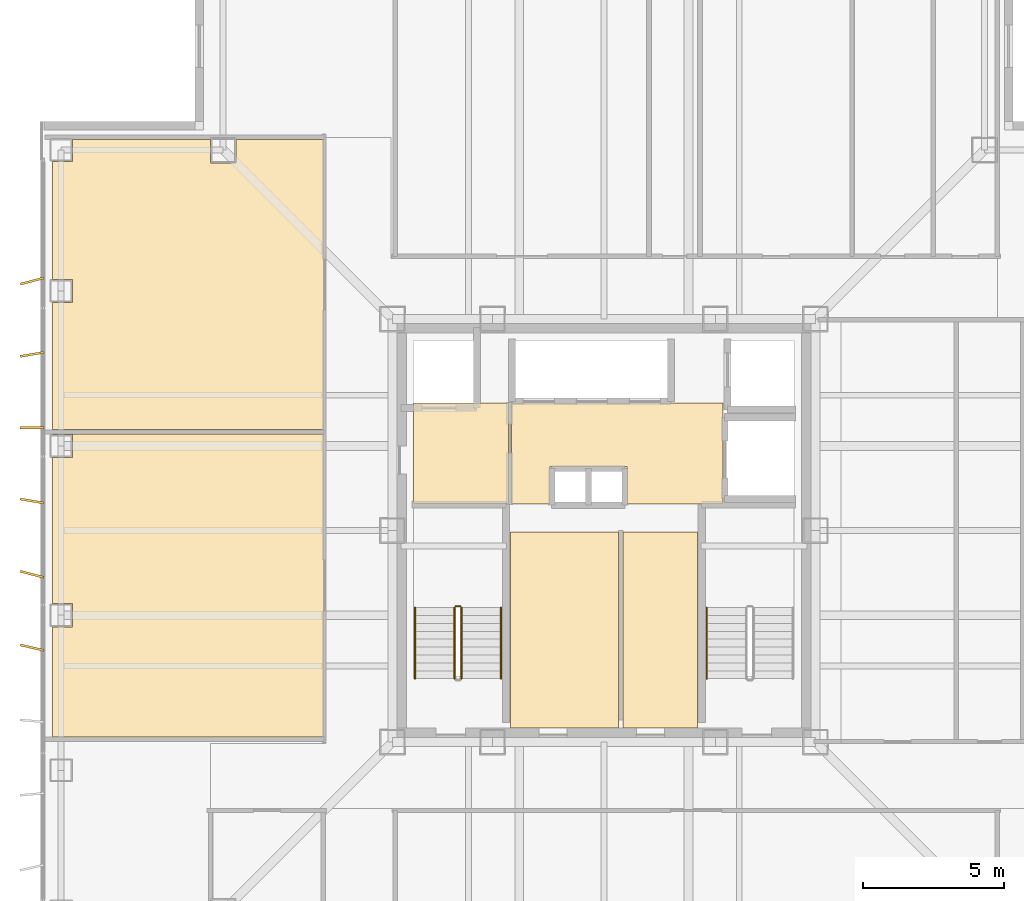
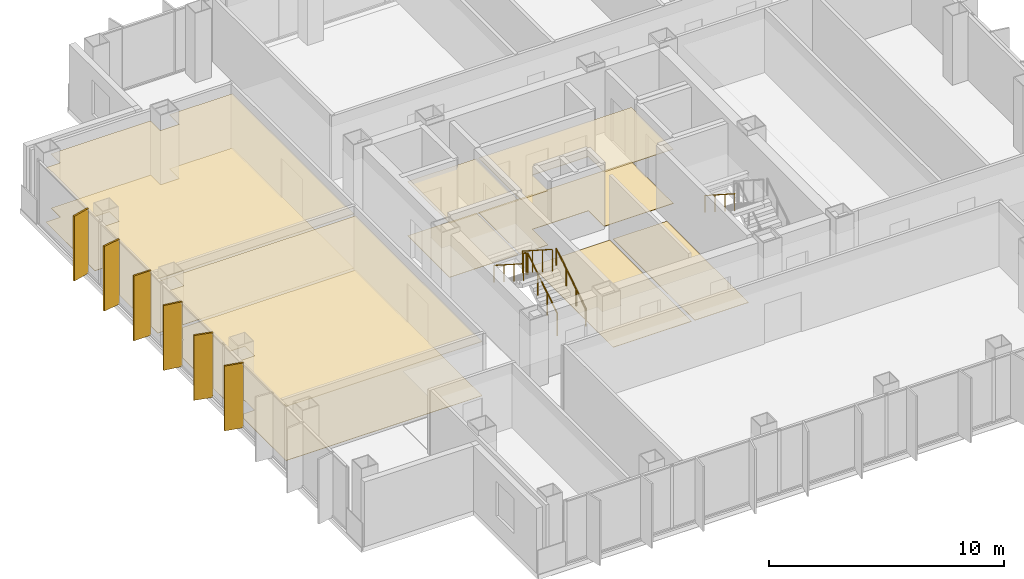
# One storey, part 14 of 17: 10 coverings, 6 railings, 6 shading devices.
"""IFC4 building model written with IfcOpenShell, lengths in metres."""

from ifc_helpers import new_model, si_unit, direction, frame, origin, origin_2d, place, context, subcontext, project, spatial, polyline, rectangle, circle, outline, extrude, material, layer, layer_set, type_object, element, save


model = new_model("IFC4")

# Units and contexts
model_context = context("Model", 3, precision=1e-05, world=origin(), true_north=direction((0.0, 1.0)))
body_context = subcontext(model_context, "Body", "Model", "MODEL_VIEW")
ifc_project = project(units=[si_unit("LENGTHUNIT", "METRE"), si_unit("AREAUNIT", "SQUARE_METRE"), si_unit("VOLUMEUNIT", "CUBIC_METRE"), si_unit("PLANEANGLEUNIT", "RADIAN"), si_unit("MASSUNIT", "GRAM", prefix="KILO")], contexts=[model_context])

# Site, building, storey
site_placement = place(None, origin())
site = spatial("IfcSite", under=ifc_project, at=site_placement, CompositionType="ELEMENT")
building_placement = place(site_placement, origin())
building = spatial("IfcBuilding", under=site, at=building_placement, Name="Trevonay Congress Spire", CompositionType="ELEMENT")
storey_placement = place(building_placement, frame((0.0, 0.0, 184.199951171875)))
storey = spatial("IfcBuildingStorey", under=building, at=storey_placement, Name="L47", CompositionType="ELEMENT", Elevation=184.199951171875)

# Coverings
ifc_material_1 = material(Name="Acoustic Mineral Fibre Board", Category="gypsum")
ifc_layer_1 = layer(ifc_material_1, 0.02490234375, Name="Acoustic Mineral Fibre Board")
ifc_layer_set_1 = layer_set([ifc_layer_1], Name="Acoustic Mineral Fibre Board")
covering_type_1 = type_object("IfcCoveringType", Name="COV-CEIL-ACOUSTIC", PredefinedType="CEILING", material=ifc_layer_set_1)
covering_1_placement = place(storey_placement, frame((0.0, 0.0, 2.81005859375)))
element("IfcCovering", 1, at=covering_1_placement, inside=storey, type_object=covering_type_1, Name="L47 Firefighting Lift Lobby West acoustic suspended ceiling", PredefinedType="CEILING", context=body_context, shape_type="SweptSolid", body=[
    extrude(outline(polyline([(-6.75, 0.9599609375), (-3.3798828125, 0.9599609375), (-3.3798828125, 4.52001953125), (-6.75, 4.52001953125), (-6.75, 0.9599609375)])), origin(), (0.0, 0.0, 1.0), 0.02490234375),
])
covering_2_placement = place(storey_placement, frame((0.0, 0.0, 2.81005859375)))
element("IfcCovering", 2, at=covering_2_placement, inside=storey, type_object=covering_type_1, Name="L47 Central and High-Rise Passenger Lift Lobby acoustic suspended ceiling", PredefinedType="CEILING", context=body_context, shape_type="SweptSolid", body=[
    extrude(outline(polyline([(-3.280029296875, 0.949951171875), (-1.919921875, 0.949951171875), (-1.919921875, 2.280029296875), (0.820068359375, 2.280029296875), (0.820068359375, 0.949951171875), (4.219970703125, 0.949951171875), (4.219970703125, 4.52001953125), (-3.280029296875, 4.52001953125), (-3.280029296875, 0.949951171875)])), origin(), (0.0, 0.0, 1.0), 0.02490234375),
])
covering_3_placement = place(storey_placement, frame((0.0, 0.0, 2.81005859375)))
element("IfcCovering", 3, at=covering_3_placement, inside=storey, type_object=covering_type_1, Name="L47 Claimant Caucus Boardroom acoustic suspended ceiling", PredefinedType="CEILING", context=body_context, shape_type="SweptSolid", body=[
    extrude(outline(polyline([(-19.550048828125, 3.419921875), (-9.929931640625, 3.419921875), (-9.929931640625, -7.320068359375), (-19.550048828125, -7.320068359375), (-19.550048828125, -3.409912109375), (-18.840087890625, -3.409912109375), (-18.840087890625, -2.590087890625), (-19.550048828125, -2.590087890625), (-19.550048828125, 2.590087890625), (-18.840087890625, 2.590087890625), (-18.840087890625, 3.409912109375), (-19.550048828125, 3.409912109375), (-19.550048828125, 3.419921875)])), origin(), (0.0, 0.0, 1.0), 0.02490234375),
])
covering_4_placement = place(storey_placement, frame((0.0, 0.0, 2.81005859375)))
element("IfcCovering", 4, at=covering_4_placement, inside=storey, type_object=covering_type_1, Name="L47 Respondent Caucus Boardroom acoustic suspended ceiling", PredefinedType="CEILING", context=body_context, shape_type="SweptSolid", body=[
    extrude(outline(polyline([(-9.929931640625, 13.8701171875), (-9.929931640625, 3.580078125), (-19.550048828125, 3.580078125), (-19.550048828125, 8.090087890625), (-18.840087890625, 8.090087890625), (-18.840087890625, 8.909912109375), (-19.550048828125, 8.909912109375), (-19.550048828125, 13.090087890625), (-18.840087890625, 13.090087890625), (-18.840087890625, 13.8701171875), (-13.9599609375, 13.8701171875), (-13.9599609375, 13.0400390625), (-13.0400390625, 13.0400390625), (-13.0400390625, 13.8701171875), (-9.929931640625, 13.8701171875)])), origin(), (0.0, 0.0, 1.0), 0.02490234375),
])
ifc_material_2 = material(Name="Polished Granite Floor Tile", Category="masonry")
ifc_layer_2 = layer(ifc_material_2, 0.02001953125, Name="Polished Granite Floor Tile")
ifc_layer_set_2 = layer_set([ifc_layer_2], Name="Polished Granite Floor Tile")
covering_type_2 = type_object("IfcCoveringType", Name="COV-FLOOR-STONE", PredefinedType="FLOORING", material=ifc_layer_set_2)
covering_5_placement = place(storey_placement, origin())
element("IfcCovering", 5, at=covering_5_placement, inside=storey, type_object=covering_type_2, Name="L47 Firefighting Lift Lobby West floor finish", PredefinedType="FLOORING", context=body_context, shape_type="SweptSolid", body=[
    extrude(outline(polyline([(-6.75, 0.9599609375), (-3.3798828125, 0.9599609375), (-3.3798828125, 4.52001953125), (-6.75, 4.52001953125), (-6.75, 0.9599609375)])), origin(), (0.0, 0.0, 1.0), 0.02001953125),
])
covering_6_placement = place(storey_placement, origin())
element("IfcCovering", 6, at=covering_6_placement, inside=storey, type_object=covering_type_2, Name="L47 Central and High-Rise Passenger Lift Lobby floor finish", PredefinedType="FLOORING", context=body_context, shape_type="SweptSolid", body=[
    extrude(outline(polyline([(-3.280029296875, 0.949951171875), (-1.919921875, 0.949951171875), (-1.919921875, 2.280029296875), (0.820068359375, 2.280029296875), (0.820068359375, 0.949951171875), (4.219970703125, 0.949951171875), (4.219970703125, 4.52001953125), (-3.280029296875, 4.52001953125), (-3.280029296875, 0.949951171875)])), origin(), (0.0, 0.0, 1.0), 0.02001953125),
])
covering_7_placement = place(storey_placement, origin())
element("IfcCovering", 7, at=covering_7_placement, inside=storey, type_object=covering_type_2, Name="L47 Core Electrical Sub-Board Room floor finish", PredefinedType="FLOORING", context=body_context, shape_type="SweptSolid", body=[
    extrude(outline(polyline([(-3.320068359375, -7.0), (0.52001953125, -7.0), (0.52001953125, -0.050048828125), (-3.320068359375, -0.050048828125), (-3.320068359375, -7.0)])), origin(), (0.0, 0.0, 1.0), 0.02001953125),
])
covering_8_placement = place(storey_placement, origin())
element("IfcCovering", 8, at=covering_8_placement, inside=storey, type_object=covering_type_2, Name="L47 Cleaner and Housekeeping Store floor finish", PredefinedType="FLOORING", context=body_context, shape_type="SweptSolid", body=[
    extrude(outline(polyline([(0.679931640625, -7.0), (3.320068359375, -7.0), (3.320068359375, -0.050048828125), (0.679931640625, -0.050048828125), (0.679931640625, -7.0)])), origin(), (0.0, 0.0, 1.0), 0.02001953125),
])
ifc_material_3 = material(Name="Engineered Oak Flooring", Category="wood")
ifc_layer_3 = layer(ifc_material_3, 0.01806640625, Name="Engineered Oak Flooring")
ifc_layer_set_3 = layer_set([ifc_layer_3], Name="Engineered Oak Flooring")
covering_type_3 = type_object("IfcCoveringType", Name="COV-FLOOR-TIMBER", PredefinedType="FLOORING", material=ifc_layer_set_3)
covering_9_placement = place(storey_placement, origin())
element("IfcCovering", 9, at=covering_9_placement, inside=storey, type_object=covering_type_3, Name="L47 Claimant Caucus Boardroom floor finish", PredefinedType="FLOORING", context=body_context, shape_type="SweptSolid", body=[
    extrude(outline(polyline([(-19.550048828125, 3.419921875), (-9.929931640625, 3.419921875), (-9.929931640625, -7.320068359375), (-19.550048828125, -7.320068359375), (-19.550048828125, -3.409912109375), (-18.840087890625, -3.409912109375), (-18.840087890625, -2.590087890625), (-19.550048828125, -2.590087890625), (-19.550048828125, 2.590087890625), (-18.840087890625, 2.590087890625), (-18.840087890625, 3.409912109375), (-19.550048828125, 3.409912109375), (-19.550048828125, 3.419921875)])), origin(), (0.0, 0.0, 1.0), 0.01806640625),
])
covering_10_placement = place(storey_placement, origin())
element("IfcCovering", 10, at=covering_10_placement, inside=storey, type_object=covering_type_3, Name="L47 Respondent Caucus Boardroom floor finish", PredefinedType="FLOORING", context=body_context, shape_type="SweptSolid", body=[
    extrude(outline(polyline([(-9.929931640625, 13.8701171875), (-9.929931640625, 3.580078125), (-19.550048828125, 3.580078125), (-19.550048828125, 8.090087890625), (-18.840087890625, 8.090087890625), (-18.840087890625, 8.909912109375), (-19.550048828125, 8.909912109375), (-19.550048828125, 13.090087890625), (-18.840087890625, 13.090087890625), (-18.840087890625, 13.8701171875), (-13.9599609375, 13.8701171875), (-13.9599609375, 13.0400390625), (-13.0400390625, 13.0400390625), (-13.0400390625, 13.8701171875), (-9.929931640625, 13.8701171875)])), origin(), (0.0, 0.0, 1.0), 0.01806640625),
])

# Railings
ifc_material_4 = material(Name="Pale Anodised Aluminium EN AW-6063-T6", Category="aluminium")
railing_type_1 = type_object("IfcRailingType", Name="RAL-STAIR-GUARD-110", PredefinedType="GUARDRAIL", material=ifc_material_4)
railing_1_placement = place(storey_placement, frame((-5.050048828125, -5.25, 0.179931640625)))
element("IfcRailing", 11, at=railing_1_placement, inside=storey, type_object=railing_type_1, Name="L47 ST-1 stair guard 1", PredefinedType="GUARDRAIL", context=body_context, shape_type="SweptSolid", body=[
    extrude(circle(Radius=0.02392578125, at=origin_2d()), frame((0.0, 0.0, 1.1259765625), z_axis=(0.0, 0.841162588446, 0.540782303519), x_axis=(-1.0, 0.0, 0.0)), (0.0, 0.0, 1.0), 2.995849609375),
    extrude(circle(Radius=0.02099609375, at=origin_2d()), origin(), (0.0, 0.0, 1.0), 1.101806640625),
    extrude(circle(Radius=0.02099609375, at=origin_2d()), frame((0.0, 0.840087890625, 0.5400390625)), (0.0, 0.0, 1.0), 1.101806640625),
    extrude(circle(Radius=0.02099609375, at=origin_2d()), frame((0.0, 1.679931640625, 1.080078125)), (0.0, 0.0, 1.0), 1.101806640625),
    extrude(circle(Radius=0.02099609375, at=origin_2d()), frame((0.0, 2.52001953125, 1.6201171875)), (0.0, 0.0, 1.0), 1.101806640625),
])
railing_2_placement = place(storey_placement, frame((-5.10009765625, -2.679931640625, 1.800048828125)))
element("IfcRailing", 12, at=railing_2_placement, inside=storey, type_object=railing_type_1, Name="L47 ST-1 stair guard 2", PredefinedType="GUARDRAIL", context=body_context, shape_type="SweptSolid", body=[
    extrude(circle(Radius=0.02392578125, at=origin_2d()), frame((0.0, 0.0, 1.1259765625), z_axis=(-1.0, 0.0, 0.0), x_axis=(0.0, -1.0, 0.0)), (0.0, 0.0, 1.0), 0.14990234375),
    extrude(circle(Radius=0.02099609375, at=origin_2d()), origin(), (0.0, 0.0, 1.0), 1.101806640625),
    extrude(circle(Radius=0.02099609375, at=origin_2d()), frame((-0.14990234375, 0.0, 0.0)), (0.0, 0.0, 1.0), 1.101806640625),
])
railing_3_placement = place(storey_placement, frame((-5.300048828125, -2.72998046875, 1.97998046875)))
element("IfcRailing", 13, at=railing_3_placement, inside=storey, type_object=railing_type_1, Name="L47 ST-1 stair guard 3", PredefinedType="GUARDRAIL", context=body_context, shape_type="SweptSolid", body=[
    extrude(circle(Radius=0.02392578125, at=origin_2d()), frame((0.0, 0.0, 1.1259765625), z_axis=(0.0, -0.841162588446, 0.540782303519), x_axis=(1.0, 0.0, 0.0)), (0.0, 0.0, 1.0), 2.995849609375),
    extrude(circle(Radius=0.02099609375, at=origin_2d()), origin(), (0.0, 0.0, 1.0), 1.101806640625),
    extrude(circle(Radius=0.02099609375, at=origin_2d()), frame((0.0, -0.840087890625, 0.5400390625)), (0.0, 0.0, 1.0), 1.101806640625),
    extrude(circle(Radius=0.02099609375, at=origin_2d()), frame((0.0, -1.679931640625, 1.080078125)), (0.0, 0.0, 1.0), 1.101806640625),
    extrude(circle(Radius=0.02099609375, at=origin_2d()), frame((0.0, -2.52001953125, 1.6201171875)), (0.0, 0.0, 1.0), 1.101806640625),
])
railing_type_2 = type_object("IfcRailingType", Name="RAL-STAIR-HANDRAIL", PredefinedType="HANDRAIL", material=ifc_material_4)
railing_4_placement = place(storey_placement, frame((-3.64990234375, -5.25, 0.179931640625)))
element("IfcRailing", 14, at=railing_4_placement, inside=storey, type_object=railing_type_2, Name="L47 ST-1 stair handrail 1", PredefinedType="HANDRAIL", context=body_context, shape_type="SweptSolid", body=[
    extrude(circle(Radius=0.02392578125, at=origin_2d()), frame((0.0, 0.0, 0.8759765625), z_axis=(0.0, 0.841162588446, 0.540782303519), x_axis=(-1.0, 0.0, 0.0)), (0.0, 0.0, 1.0), 2.995849609375),
    extrude(circle(Radius=0.02099609375, at=origin_2d()), origin(), (0.0, 0.0, 1.0), 0.851806640625),
    extrude(circle(Radius=0.02099609375, at=origin_2d()), frame((0.0, 0.840087890625, 0.5400390625)), (0.0, 0.0, 1.0), 0.851806640625),
    extrude(circle(Radius=0.02099609375, at=origin_2d()), frame((0.0, 1.679931640625, 1.080078125)), (0.0, 0.0, 1.0), 0.851806640625),
    extrude(circle(Radius=0.02099609375, at=origin_2d()), frame((0.0, 2.52001953125, 1.6201171875)), (0.0, 0.0, 1.0), 0.851806640625),
])
for number, where, name in (
    (15, (-6.699951171875, -2.72998046875, 1.97998046875), "L47 ST-1 stair handrail 2"),
    (16, (3.64990234375, -2.72998046875, 1.97998046875), "L47 ST-2 stair handrail 2"),
):
    element("IfcRailing", number, at=place(storey_placement, frame(where)), inside=storey, type_object=railing_type_2, Name=name, PredefinedType="HANDRAIL", context=body_context, shape_type="SweptSolid", body=[
        extrude(circle(Radius=0.02392578125, at=origin_2d()), frame((0.0, 0.0, 0.8759765625), z_axis=(0.0, -0.841162588446, 0.540782303519), x_axis=(1.0, 0.0, 0.0)), (0.0, 0.0, 1.0), 2.995849609375),
        extrude(circle(Radius=0.02099609375, at=origin_2d()), origin(), (0.0, 0.0, 1.0), 0.851806640625),
        extrude(circle(Radius=0.02099609375, at=origin_2d()), frame((0.0, -0.840087890625, 0.5400390625)), (0.0, 0.0, 1.0), 0.851806640625),
        extrude(circle(Radius=0.02099609375, at=origin_2d()), frame((0.0, -1.679931640625, 1.080078125)), (0.0, 0.0, 1.0), 0.851806640625),
        extrude(circle(Radius=0.02099609375, at=origin_2d()), frame((0.0, -2.52001953125, 1.6201171875)), (0.0, 0.0, 1.0), 0.851806640625),
    ])

# Shading devices
shading_device_type = type_object("IfcShadingDeviceType", Name="SHD-FIN-Z3-PALE-METAL", PredefinedType="USERDEFINED", material=ifc_material_4)
for number, where, z_axis, x_axis, name in (
    (17, (-20.280029296875, -4.14990234375, 0.0), (0.0, 0.0, 1.0), (0.224780991261, 0.97440931131, 0.0), "L47 W vertical pale-metal solar fin 4"),
    (18, (-20.280029296875, -1.550048828125, 0.0), (0.0, 0.0, 1.0), (0.2549394954, 0.966957007154, 0.0), "L47 W vertical pale-metal solar fin 5"),
    (19, (-20.280029296875, 1.050048828125, 0.0), (0.0, 0.0, 1.0), (0.16745706111, 0.98587937025, 0.0), "L47 W vertical pale-metal solar fin 6"),
    (20, (-20.280029296875, 3.64990234375, 0.0), (0.0, 0.0, 1.0), (0.0, 1.0, 0.0), "L47 W vertical pale-metal solar fin 7"),
    (21, (-20.280029296875, 6.25, 0.0), (0.0, 0.0, 1.0), (-0.16745706111, 0.98587937025, 0.0), "L47 W vertical pale-metal solar fin 8"),
    (22, (-20.280029296875, 8.85009765625, 0.0), (0.0, 0.0, 1.0), (-0.2549394954, 0.966957007154, 0.0), "L47 W vertical pale-metal solar fin 9"),
):
    element("IfcShadingDevice", number, at=place(storey_placement, frame(where, z_axis=z_axis, x_axis=x_axis)), inside=storey, type_object=shading_device_type, Name=name, ObjectType="SOLAR FIN", PredefinedType="USERDEFINED", context=body_context, shape_type="SweptSolid", body=[
        extrude(rectangle(XDim=0.080078125, YDim=0.85009765625, at=origin_2d()), origin(), (0.0, 0.0, 1.0), 3.360107421875),
    ])

save(model, "model.ifc")
